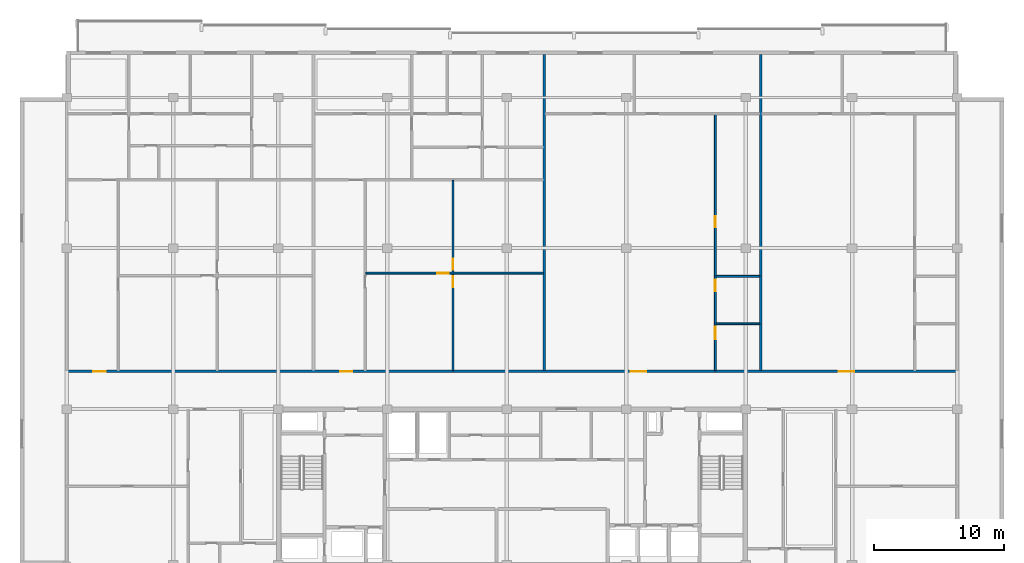
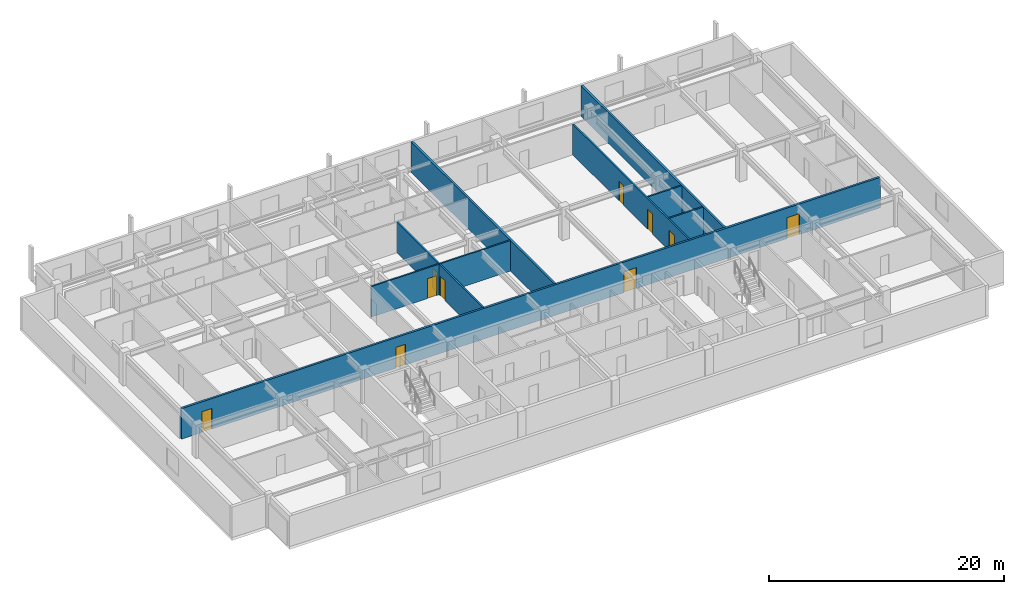
# One storey, part 6 of 11: 10 doors, 8 walls, 10 openings.
"""IFC4 building model written with IfcOpenShell, lengths in metres."""

import ifcopenshell
import ifcopenshell.guid

model = None  # the IFC model being written
_history = None  # IfcOwnerHistory: only IFC2X3 demands one
_inside = {}  # id of a spatial element -> (the spatial element, [elements in it])
_under = {}  # id of a project, library or spatial element -> (it, [spatial elements below it])
_declared = {}  # id of a project -> (the project, [libraries it declares])
_typed = {}  # id of a type object -> (the type object, [elements of that type])
_made_of = {}  # id of a material, layer set ... -> (it, [elements and type objects made of it])


def new_model(schema):
    """Start an empty IFC model of exactly this schema.

    Asked for "IFC4X3", IfcOpenShell would pick the latest addendum, in which some entities
    have other attributes; the version numbers below select the first issue.
    IFC2X3 requires an IfcOwnerHistory on every rooted entity: one is made here for all.
    """
    global model, _history
    if schema == "IFC4X3":
        model = ifcopenshell.file(schema_version=(4, 3, 0, 0))
    else:
        model = ifcopenshell.file(schema=schema)
    _inside.clear()
    _under.clear()
    _declared.clear()
    _typed.clear()
    _made_of.clear()
    _history = None
    if model.schema == "IFC2X3":
        org = make("IfcOrganization", Name="unknown")
        user = make(
            "IfcPersonAndOrganization",
            ThePerson=make("IfcPerson", FamilyName="unknown"),
            TheOrganization=org,
        )
        app = make(
            "IfcApplication",
            ApplicationDeveloper=org,
            Version="unknown",
            ApplicationFullName="unknown",
            ApplicationIdentifier="unknown",
        )
        _history = make(
            "IfcOwnerHistory",
            OwningUser=user,
            OwningApplication=app,
            ChangeAction="ADDED",
            CreationDate=0,
        )
    return model


def make(cls, **values):
    """One entity of the class cls with the attributes given. An attribute that is None is left unset."""
    return model.create_entity(
        cls, **{name: value for name, value in values.items() if value is not None}
    )


def rooted(cls, **values):
    """An entity with a GlobalId (a new one), such as an element, a storey or a relation."""
    return make(cls, GlobalId=ifcopenshell.guid.new(), OwnerHistory=_history, **values)


def si_unit(unit_type, name, prefix=None):
    """IfcSIUnit, for example si_unit("LENGTHUNIT", "METRE", prefix="MILLI")."""
    return make("IfcSIUnit", UnitType=unit_type, Prefix=prefix, Name=name)


def assignment(units):
    """IfcUnitAssignment: the units of a project."""
    return None if units is None else make("IfcUnitAssignment", Units=units)


def point(xyz):
    """IfcCartesianPoint."""
    return None if xyz is None else make("IfcCartesianPoint", Coordinates=xyz)


def direction(xyz):
    """IfcDirection."""
    return None if xyz is None else make("IfcDirection", DirectionRatios=xyz)


def frame(location, z_axis=None, x_axis=None):
    """IfcAxis2Placement3D, a coordinate frame: its origin and axes. An axis left out is left unset."""
    return make(
        "IfcAxis2Placement3D",
        Location=point(location),
        Axis=direction(z_axis),
        RefDirection=direction(x_axis),
    )


def frame_2d(location, x_axis=None):
    """IfcAxis2Placement2D, a coordinate frame in the plane: its origin and x axis."""
    return make(
        "IfcAxis2Placement2D", Location=point(location), RefDirection=direction(x_axis)
    )


def origin():
    """The frame at (0, 0, 0) with its axes left unset."""
    return frame((0.0, 0.0, 0.0))


def place(relative_to, where):
    """IfcLocalPlacement: puts the frame where relative to a parent placement (None: the world)."""
    return make(
        "IfcLocalPlacement", PlacementRelTo=relative_to, RelativePlacement=where
    )


def context(
    kind, dimensions, precision=None, world=None, true_north=None, identifier=None
):
    """IfcGeometricRepresentationContext, for example the 3D "Model" context."""
    return make(
        "IfcGeometricRepresentationContext",
        ContextIdentifier=identifier,
        ContextType=kind,
        CoordinateSpaceDimension=dimensions,
        Precision=precision,
        WorldCoordinateSystem=world,
        TrueNorth=true_north,
    )


def subcontext(parent, identifier, kind, view, scale=None):
    """IfcGeometricRepresentationSubContext, for example "Body" below "Model"."""
    return make(
        "IfcGeometricRepresentationSubContext",
        ContextIdentifier=identifier,
        ContextType=kind,
        ParentContext=parent,
        TargetScale=scale,
        TargetView=view,
    )


def project(units=None, contexts=None):
    """IfcProject with its units and contexts."""
    return rooted(
        "IfcProject",
        Name="project",
        RepresentationContexts=contexts,
        UnitsInContext=assignment(units),
    )


def spatial(cls, under=None, at=None, **own):
    """A site, building, storey or space (cls), placed at a placement, below another one or the project."""
    s = rooted(cls, ObjectPlacement=at, **own)
    if under is not None:
        _under.setdefault(under.id(), (under, []))[1].append(s)
    return s


def profile(cls, at=None, kind="AREA", **sizes):
    """A parametric profile (cls). Its sizes go by their IFC names, for example OverallWidth=200.0."""
    return make(cls, ProfileType=kind, Position=at, **sizes)


def rectangle(**sizes):
    """IfcRectangleProfileDef."""
    return profile("IfcRectangleProfileDef", **sizes)


def extrude(swept, where, along, depth):
    """IfcExtrudedAreaSolid: the profile swept, set in the frame where, extruded along a direction by depth."""
    return make(
        "IfcExtrudedAreaSolid",
        SweptArea=swept,
        Position=where,
        ExtrudedDirection=direction(along),
        Depth=depth,
    )


def shape(context_of_items, identifier, shape_type, items):
    """IfcShapeRepresentation: the items that make up one representation, for example the "Body"."""
    return make(
        "IfcShapeRepresentation",
        ContextOfItems=context_of_items,
        RepresentationIdentifier=identifier,
        RepresentationType=shape_type,
        Items=items,
    )


def material(Name=None, Category=None):
    """IfcMaterial."""
    return make("IfcMaterial", Name=Name, Category=Category)


def layer(
    of_material, thickness, ventilated=None, Name=None, Category=None, Priority=None
):
    """IfcMaterialLayer: one layer of a wall or slab, of a material (None: an air gap)."""
    return make(
        "IfcMaterialLayer",
        Material=of_material,
        LayerThickness=thickness,
        IsVentilated=ventilated,
        Name=Name,
        Category=Category,
        Priority=Priority,
    )


def layer_set(layers, Name=None):
    """IfcMaterialLayerSet."""
    return make("IfcMaterialLayerSet", MaterialLayers=layers, LayerSetName=Name)


def made_of(thing, what):
    """Note that an element or type object is made of a material, layer set ...; save() writes the relation."""
    if what is not None:
        _made_of.setdefault(what.id(), (what, []))[1].append(thing)
    return thing


def type_object(cls, material=None, **own):
    """A type object (cls), such as IfcWallType, which elements share."""
    return made_of(rooted(cls, **own), material)


def element(
    cls,
    number,
    at=None,
    inside=None,
    cuts=None,
    type_object=None,
    material=None,
    context=None,
    identifier="Body",
    shape_type=None,
    held_by="IfcProductDefinitionShape",
    body=None,
    shapes=None,
    **own,
):
    """One element of the class cls, such as IfcWall. Its Tag is "e" and its number.

    at: its placement. inside: the storey or other place that contains it. cuts: it is an
    opening in that element (IfcRelVoidsElement). A single representation is given by context,
    identifier, shape_type and body (its items); several are given by shapes. held_by: the class
    of the entity that holds the representations. save() writes the other relations.
    """
    e = rooted(cls, Tag="e%d" % number, ObjectPlacement=at, **own)
    if body is not None:
        shapes = [shape(context, identifier, shape_type, body)]
    if shapes is not None:
        e.Representation = make(held_by, Representations=shapes)
    if inside is not None:
        _inside.setdefault(inside.id(), (inside, []))[1].append(e)
    if cuts is not None:
        rooted(
            "IfcRelVoidsElement", RelatingBuildingElement=cuts, RelatedOpeningElement=e
        )
    if type_object is not None:
        _typed.setdefault(type_object.id(), (type_object, []))[1].append(e)
    return made_of(e, material)


def fill(opening, filler):
    """IfcRelFillsElement: the door or window that sits in an opening."""
    return rooted(
        "IfcRelFillsElement",
        RelatingOpeningElement=opening,
        RelatedBuildingElement=filler,
    )


def aggregate(whole, parts):
    """IfcRelAggregates: a whole, such as a stair, and the parts it consists of."""
    return rooted("IfcRelAggregates", RelatingObject=whole, RelatedObjects=parts)


def save(model, path):
    """Write the relations noted so far, then the file.

    IfcRelAggregates (storeys below a building ...), IfcRelContainedInSpatialStructure (elements
    in a storey), IfcRelDefinesByType, IfcRelAssociatesMaterial and IfcRelDeclares: one each for
    every whole, place, type object, material and project.
    """
    for whole, parts in _under.values():
        aggregate(whole, parts)
    for where, things in _inside.values():
        rooted(
            "IfcRelContainedInSpatialStructure",
            RelatedElements=things,
            RelatingStructure=where,
        )
    for kind, things in _typed.values():
        rooted("IfcRelDefinesByType", RelatedObjects=things, RelatingType=kind)
    for what, things in _made_of.values():
        rooted("IfcRelAssociatesMaterial", RelatedObjects=things, RelatingMaterial=what)
    for by, libraries in _declared.values():
        rooted("IfcRelDeclares", RelatingContext=by, RelatedDefinitions=libraries)
    model.write(path)


model = new_model("IFC4")

# Units and contexts
model_context = context("Model", 3, precision=1e-05, world=origin(), true_north=direction((0.0, 1.0)))
body_context = subcontext(model_context, "Body", "Model", "MODEL_VIEW")
ifc_project = project(units=[si_unit("LENGTHUNIT", "METRE"), si_unit("AREAUNIT", "SQUARE_METRE"), si_unit("VOLUMEUNIT", "CUBIC_METRE"), si_unit("PLANEANGLEUNIT", "RADIAN"), si_unit("MASSUNIT", "GRAM", prefix="KILO")], contexts=[model_context])

# Site, building, storey
site_placement = place(None, origin())
site = spatial("IfcSite", under=ifc_project, at=site_placement, CompositionType="ELEMENT")
building_placement = place(site_placement, origin())
building = spatial("IfcBuilding", under=site, at=building_placement, Name="Korimba Cascade Residences", CompositionType="ELEMENT")
storey_placement = place(building_placement, frame((0.0, 0.0, 256.25)))
storey = spatial("IfcBuildingStorey", under=building, at=storey_placement, Name="L74", CompositionType="ELEMENT", Elevation=256.25)

# Walls
ifc_material_1 = material(Name="Precast concrete C40/50", Category="concrete")
ifc_layer_1 = layer(ifc_material_1, 0.199951171875)
ifc_layer_set_1 = layer_set([ifc_layer_1], Name="Precast concrete C40/50")
wall_type_1 = type_object("IfcWallType", Name="WAL-IT-200", PredefinedType="PARTITIONING", material=ifc_layer_set_1)
for number, where, z_axis, x_axis, name in (
    (1, (96.588623046875, 70.179931640625, 0.0), (0.0, 0.0, 1.0), (0.0, 1.0, 0.0), "L74 Partition Wall WAL-L74-T1-DEM-2"),
    (2, (113.259033203125, 70.179931640625, 0.0), (0.0, 0.0, 1.0), (0.0, 1.0, 0.0), "L74 Partition Wall WAL-L74-T1-DEM-3"),
):
    element("IfcWall", number, at=place(storey_placement, frame(where, z_axis=z_axis, x_axis=x_axis)), inside=storey, type_object=wall_type_1, Name=name, PredefinedType="PARTITIONING", context=body_context, shape_type="SweptSolid", body=[
        extrude(rectangle(XDim=24.320068359375, YDim=0.199951171875, at=frame_2d((12.16015625, 0.0))), origin(), (0.0, 0.0, 1.0), 3.169921875),
    ])

# Wall, openings, doors
wall_1_placement = place(storey_placement, frame((59.800048828125, 70.10009765625, 0.0), z_axis=(0.0, 0.0, 1.0), x_axis=(1.0, 0.0, 0.0)))
wall_1 = element("IfcWall", 3, at=wall_1_placement, inside=storey, type_object=wall_type_1, Name="L74 Partition Wall WAL-L74-T1-CORN", PredefinedType="PARTITIONING", context=body_context, shape_type="SweptSolid", body=[
    extrude(rectangle(XDim=68.599853515625, YDim=0.199951171875, at=frame_2d((34.2998046875, 0.0))), origin(), (0.0, 0.0, 1.0), 3.169921875),
])
opening_1_placement = place(wall_1_placement, frame((2.044921875, 0.0, 0.0)))
opening_1 = element("IfcOpeningElement", 4, at=opening_1_placement, cuts=wall_1, Name="Opening D-UN1", PredefinedType="OPENING", context=body_context, shape_type="SweptSolid", body=[
    extrude(rectangle(XDim=0.949951171875, YDim=2.14990234375, at=frame_2d((0.47509765625, 1.074951171875))), frame((0.0, 0.10986328125, 0.0), z_axis=(0.0, -1.0, 0.0), x_axis=(1.0, 0.0, 0.0)), (0.0, 0.0, 1.0), 0.219970703125),
])
opening_2_placement = place(wall_1_placement, frame((21.05419921875, 0.0, 0.0)))
opening_2 = element("IfcOpeningElement", 5, at=opening_2_placement, cuts=wall_1, Name="Opening D-UN1", PredefinedType="OPENING", context=body_context, shape_type="SweptSolid", body=[
    extrude(rectangle(XDim=0.949951171875, YDim=2.14990234375, at=frame_2d((0.47509765625, 1.074951171875))), frame((0.0, 0.10986328125, 0.0), z_axis=(0.0, -1.0, 0.0), x_axis=(1.0, 0.0, 0.0)), (0.0, 0.0, 1.0), 0.219970703125),
])
opening_3_placement = place(wall_1_placement, frame((43.433837890625, 0.0, 0.0)))
opening_3 = element("IfcOpeningElement", 6, at=opening_3_placement, cuts=wall_1, Name="Opening D-AM1", PredefinedType="OPENING", context=body_context, shape_type="SweptSolid", body=[
    extrude(rectangle(XDim=1.219970703125, YDim=2.179931640625, at=frame_2d((0.60986328125, 1.08984375))), frame((0.0, 0.10986328125, 0.0), z_axis=(0.0, -1.0, 0.0), x_axis=(1.0, 0.0, 0.0)), (0.0, 0.0, 1.0), 0.219970703125),
])
opening_4_placement = place(wall_1_placement, frame((59.45458984375, 0.0, 0.0)))
opening_4 = element("IfcOpeningElement", 7, at=opening_4_placement, cuts=wall_1, Name="Opening D-AM1", PredefinedType="OPENING", context=body_context, shape_type="SweptSolid", body=[
    extrude(rectangle(XDim=1.219970703125, YDim=2.179931640625, at=frame_2d((0.60986328125, 1.08984375))), frame((0.0, 0.10986328125, 0.0), z_axis=(0.0, -1.0, 0.0), x_axis=(1.0, 0.0, 0.0)), (0.0, 0.0, 1.0), 0.219970703125),
])
ifc_material_2 = material(Name="Fire-Rated Glazed Timber Suite Door", Category="wood")
door_type_1 = type_object("IfcDoorType", Name="DR-FD60-1200", OperationType="NOTDEFINED", PredefinedType="DOOR", material=ifc_material_2)
door_1_placement = place(opening_3_placement, origin())
door_1 = element("IfcDoor", 8, at=door_1_placement, inside=storey, type_object=door_type_1, Name="L74-T1-U03 Transfer Reception Foyer Door", OperationType="SINGLE_SWING_RIGHT", OverallHeight=2.179931640625, OverallWidth=1.219970703125, PredefinedType="DOOR", context=body_context, shape_type="SweptSolid", body=[
    extrude(rectangle(XDim=1.219970703125, YDim=2.179931640625, at=frame_2d((0.60986328125, 1.08984375))), frame((0.0, 0.02490234375, 0.0), z_axis=(0.0, -1.0, 0.0), x_axis=(1.0, 0.0, 0.0)), (0.0, 0.0, 1.0), 0.050048828125),
])
fill(opening_3, door_1)
door_2_placement = place(opening_4_placement, origin())
door_2 = element("IfcDoor", 9, at=door_2_placement, inside=storey, type_object=door_type_1, Name="L74-T1-U04 Business Collaboration Office Door", OperationType="SINGLE_SWING_LEFT", OverallHeight=2.179931640625, OverallWidth=1.219970703125, PredefinedType="DOOR", context=body_context, shape_type="SweptSolid", body=[
    extrude(rectangle(XDim=1.219970703125, YDim=2.179931640625, at=frame_2d((0.60986328125, 1.08984375))), frame((0.0, 0.02490234375, 0.0), z_axis=(0.0, -1.0, 0.0), x_axis=(1.0, 0.0, 0.0)), (0.0, 0.0, 1.0), 0.050048828125),
])
fill(opening_4, door_2)
ifc_material_3 = material(Name="Fire-Rated Hardwood Apartment Entrance Door", Category="wood")
door_type_2 = type_object("IfcDoorType", Name="DR-FD60-950", OperationType="NOTDEFINED", PredefinedType="DOOR", material=ifc_material_3)
door_3_placement = place(opening_1_placement, origin())
door_3 = element("IfcDoor", 10, at=door_3_placement, inside=storey, type_object=door_type_2, Name="Unit L74-T1-U01 Entrance Door", OperationType="SINGLE_SWING_RIGHT", OverallHeight=2.14990234375, OverallWidth=0.949951171875, PredefinedType="DOOR", context=body_context, shape_type="SweptSolid", body=[
    extrude(rectangle(XDim=0.949951171875, YDim=2.14990234375, at=frame_2d((0.47509765625, 1.074951171875))), frame((0.0, 0.02490234375, 0.0), z_axis=(0.0, -1.0, 0.0), x_axis=(1.0, 0.0, 0.0)), (0.0, 0.0, 1.0), 0.050048828125),
])
fill(opening_1, door_3)
door_4_placement = place(opening_2_placement, origin())
door_4 = element("IfcDoor", 11, at=door_4_placement, inside=storey, type_object=door_type_2, Name="Unit L74-T1-U02 Entrance Door", OperationType="SINGLE_SWING_LEFT", OverallHeight=2.14990234375, OverallWidth=0.949951171875, PredefinedType="DOOR", context=body_context, shape_type="SweptSolid", body=[
    extrude(rectangle(XDim=0.949951171875, YDim=2.14990234375, at=frame_2d((0.47509765625, 1.074951171875))), frame((0.0, 0.02490234375, 0.0), z_axis=(0.0, -1.0, 0.0), x_axis=(1.0, 0.0, 0.0)), (0.0, 0.0, 1.0), 0.050048828125),
])
fill(opening_2, door_4)

ifc_material_4 = material(Name="Insulated Acoustic Stud Partition", Category="gypsum")
ifc_layer_2 = layer(ifc_material_4, 0.14990234375)
ifc_layer_set_2 = layer_set([ifc_layer_2], Name="Insulated Acoustic Stud Partition")
wall_type_2 = type_object("IfcWallType", Name="WAL-PART-150", PredefinedType="PARTITIONING", material=ifc_layer_set_2)
wall_2_placement = place(storey_placement, frame((89.5537109375, 70.159912109375, 0.0), z_axis=(0.0, 0.0, 1.0), x_axis=(0.0, 1.0, 0.0)))
wall_2 = element("IfcWall", 12, at=wall_2_placement, inside=storey, type_object=wall_type_2, Name="L74 Partition Wall WAL-L74-T1-U02-FMV", PredefinedType="PARTITIONING", context=body_context, shape_type="SweptSolid", body=[
    extrude(rectangle(XDim=14.650146484375, YDim=0.14990234375, at=frame_2d((7.3251953125, 0.0))), origin(), (0.0, 0.0, 1.0), 3.169921875),
])
opening_5_placement = place(wall_2_placement, frame((6.4150390625, 0.0, 0.0)))
opening_5 = element("IfcOpeningElement", 13, at=opening_5_placement, cuts=wall_2, Name="Opening D-BT1", PredefinedType="OPENING", context=body_context, shape_type="SweptSolid", body=[
    extrude(rectangle(XDim=0.840087890625, YDim=2.0400390625, at=frame_2d((0.419921875, 1.02001953125))), frame((0.0, 0.0849609375, 0.0), z_axis=(0.0, -1.0, 0.0), x_axis=(1.0, 0.0, 0.0)), (0.0, 0.0, 1.0), 0.169921875),
])
opening_6_placement = place(wall_2_placement, frame((7.7548828125, 0.0, 0.0)))
opening_6 = element("IfcOpeningElement", 14, at=opening_6_placement, cuts=wall_2, Name="Opening D-IN2", PredefinedType="OPENING", context=body_context, shape_type="SweptSolid", body=[
    extrude(rectangle(XDim=0.8798828125, YDim=2.06005859375, at=frame_2d((0.43994140625, 1.030029296875))), frame((0.0, 0.0849609375, 0.0), z_axis=(0.0, -1.0, 0.0), x_axis=(1.0, 0.0, 0.0)), (0.0, 0.0, 1.0), 0.169921875),
])
ifc_material_5 = material(Name="Moisture-Resistant Bathroom Timber Door", Category="wood")
door_type_3 = type_object("IfcDoorType", Name="DR-INT-850", OperationType="NOTDEFINED", PredefinedType="DOOR", material=ifc_material_5)
door_5_placement = place(opening_5_placement, origin())
door_5 = element("IfcDoor", 15, at=door_5_placement, inside=storey, type_object=door_type_3, Name="L74-T1-U02 Wardrobe Door", OperationType="SINGLE_SWING_RIGHT", OverallHeight=2.0400390625, OverallWidth=0.840087890625, PredefinedType="DOOR", context=body_context, shape_type="SweptSolid", body=[
    extrude(rectangle(XDim=0.840087890625, YDim=2.0400390625, at=frame_2d((0.419921875, 1.02001953125))), frame((0.0, 0.02490234375, 0.0), z_axis=(0.0, -1.0, 0.0), x_axis=(1.0, 0.0, 0.0)), (0.0, 0.0, 1.0), 0.050048828125),
])
fill(opening_5, door_5)
ifc_material_6 = material(Name="Acoustic Timber Bedroom Door", Category="wood")
door_type_4 = type_object("IfcDoorType", Name="DR-INT-880", OperationType="NOTDEFINED", PredefinedType="DOOR", material=ifc_material_6)
door_6_placement = place(opening_6_placement, origin())
door_6 = element("IfcDoor", 16, at=door_6_placement, inside=storey, type_object=door_type_4, Name="L74-T1-U02 Music Lounge Door", OperationType="SINGLE_SWING_LEFT", OverallHeight=2.06005859375, OverallWidth=0.8798828125, PredefinedType="DOOR", context=body_context, shape_type="SweptSolid", body=[
    extrude(rectangle(XDim=0.8798828125, YDim=2.06005859375, at=frame_2d((0.43994140625, 1.030029296875))), frame((0.0, 0.02490234375, 0.0), z_axis=(0.0, -1.0, 0.0), x_axis=(1.0, 0.0, 0.0)), (0.0, 0.0, 1.0), 0.050048828125),
])
fill(opening_6, door_6)

# Wall, opening, door
wall_3_placement = place(storey_placement, frame((82.839111328125, 77.6650390625, 0.0), z_axis=(0.0, 0.0, 1.0), x_axis=(1.0, 0.0, 0.0)))
wall_3 = element("IfcWall", 17, at=wall_3_placement, inside=storey, type_object=wall_type_2, Name="L74 Partition Wall WAL-L74-T1-U02-FMH", PredefinedType="PARTITIONING", context=body_context, shape_type="SweptSolid", body=[
    extrude(rectangle(XDim=13.66943359375, YDim=0.14990234375, at=frame_2d((6.834716796875, 0.0))), origin(), (0.0, 0.0, 1.0), 3.169921875),
])
opening_7_placement = place(wall_3_placement, frame((5.509521484375, 0.0, 0.0)))
opening_7 = element("IfcOpeningElement", 18, at=opening_7_placement, cuts=wall_3, Name="Opening D-IN2", PredefinedType="OPENING", context=body_context, shape_type="SweptSolid", body=[
    extrude(rectangle(XDim=0.8798828125, YDim=2.06005859375, at=frame_2d((0.43994140625, 1.030029296875))), frame((0.0, 0.0849609375, 0.0), z_axis=(0.0, -1.0, 0.0), x_axis=(1.0, 0.0, 0.0)), (0.0, 0.0, 1.0), 0.169921875),
])
door_7_placement = place(opening_7_placement, origin())
door_7 = element("IfcDoor", 19, at=door_7_placement, inside=storey, type_object=door_type_4, Name="L74-T1-U02 Library Salon Door", OperationType="SINGLE_SWING_RIGHT", OverallHeight=2.06005859375, OverallWidth=0.8798828125, PredefinedType="DOOR", context=body_context, shape_type="SweptSolid", body=[
    extrude(rectangle(XDim=0.8798828125, YDim=2.06005859375, at=frame_2d((0.43994140625, 1.030029296875))), frame((0.0, 0.02490234375, 0.0), z_axis=(0.0, -1.0, 0.0), x_axis=(1.0, 0.0, 0.0)), (0.0, 0.0, 1.0), 0.050048828125),
])
fill(opening_7, door_7)

# Walls
for number, where, z_axis, x_axis, name in (
    (20, (109.819091796875, 73.77001953125, 0.0), (0.0, 0.0, 1.0), (1.0, 0.0, 0.0), "L74 Partition Wall WAL-L74-T1-U03-WCH"),
    (21, (109.819091796875, 77.419921875, 0.0), (0.0, 0.0, 1.0), (1.0, 0.0, 0.0), "L74 Partition Wall WAL-L74-T1-U03-WCH2"),
):
    element("IfcWall", number, at=place(storey_placement, frame(where, z_axis=z_axis, x_axis=x_axis)), inside=storey, type_object=wall_type_2, Name=name, PredefinedType="PARTITIONING", context=body_context, shape_type="SweptSolid", body=[
        extrude(rectangle(XDim=3.360107421875, YDim=0.14990234375, at=frame_2d((1.68017578125, 0.0))), origin(), (0.0, 0.0, 1.0), 3.169921875),
    ])

# Wall, openings, doors
wall_4_placement = place(storey_placement, frame((109.759033203125, 70.159912109375, 0.0), z_axis=(0.0, 0.0, 1.0), x_axis=(0.0, 1.0, 0.0)))
wall_4 = element("IfcWall", 22, at=wall_4_placement, inside=storey, type_object=wall_type_2, Name="L74 Partition Wall WAL-L74-T1-U03-WCV", PredefinedType="PARTITIONING", context=body_context, shape_type="SweptSolid", body=[
    extrude(rectangle(XDim=19.72998046875, YDim=0.14990234375, at=frame_2d((9.864990234375, 0.0))), origin(), (0.0, 0.0, 1.0), 3.169921875),
])
opening_8_placement = place(wall_4_placement, frame((2.406005859375, 0.0, 0.0)))
opening_8 = element("IfcOpeningElement", 23, at=opening_8_placement, cuts=wall_4, Name="Opening D-AC1", PredefinedType="OPENING", context=body_context, shape_type="SweptSolid", body=[
    extrude(rectangle(XDim=0.9599609375, YDim=2.10009765625, at=frame_2d((0.47998046875, 1.050048828125))), frame((0.0, 0.0849609375, 0.0), z_axis=(0.0, -1.0, 0.0), x_axis=(1.0, 0.0, 0.0)), (0.0, 0.0, 1.0), 0.169921875),
])
opening_9_placement = place(wall_4_placement, frame((6.132568359375, 0.0, 0.0)))
opening_9 = element("IfcOpeningElement", 24, at=opening_9_placement, cuts=wall_4, Name="Opening D-IN2", PredefinedType="OPENING", context=body_context, shape_type="SweptSolid", body=[
    extrude(rectangle(XDim=0.8798828125, YDim=2.06005859375, at=frame_2d((0.43994140625, 1.030029296875))), frame((0.0, 0.0849609375, 0.0), z_axis=(0.0, -1.0, 0.0), x_axis=(1.0, 0.0, 0.0)), (0.0, 0.0, 1.0), 0.169921875),
])
opening_10_placement = place(wall_4_placement, frame((11.034423828125, 0.0, 0.0)))
opening_10 = element("IfcOpeningElement", 25, at=opening_10_placement, cuts=wall_4, Name="Opening D-BT1", PredefinedType="OPENING", context=body_context, shape_type="SweptSolid", body=[
    extrude(rectangle(XDim=0.840087890625, YDim=2.0400390625, at=frame_2d((0.419921875, 1.02001953125))), frame((0.0, 0.0849609375, 0.0), z_axis=(0.0, -1.0, 0.0), x_axis=(1.0, 0.0, 0.0)), (0.0, 0.0, 1.0), 0.169921875),
])
ifc_material_7 = material(Name="Accessible Acoustic Timber WC Door", Category="wood")
door_type_5 = type_object("IfcDoorType", Name="DR-ACC-950", OperationType="NOTDEFINED", PredefinedType="DOOR", material=ifc_material_7)
door_8_placement = place(opening_8_placement, origin())
door_8 = element("IfcDoor", 26, at=door_8_placement, inside=storey, type_object=door_type_5, Name="L74-T1-U03 Accessible WC Door", OperationType="SINGLE_SWING_RIGHT", OverallHeight=2.10009765625, OverallWidth=0.9599609375, PredefinedType="DOOR", context=body_context, shape_type="SweptSolid", body=[
    extrude(rectangle(XDim=0.9599609375, YDim=2.10009765625, at=frame_2d((0.47998046875, 1.050048828125))), frame((0.0, 0.02490234375, 0.0), z_axis=(0.0, -1.0, 0.0), x_axis=(1.0, 0.0, 0.0)), (0.0, 0.0, 1.0), 0.050048828125),
])
fill(opening_8, door_8)
door_9_placement = place(opening_10_placement, origin())
door_9 = element("IfcDoor", 27, at=door_9_placement, inside=storey, type_object=door_type_3, Name="L74-T1-U03 Suite Store Door", OperationType="SINGLE_SWING_RIGHT", OverallHeight=2.0400390625, OverallWidth=0.840087890625, PredefinedType="DOOR", context=body_context, shape_type="SweptSolid", body=[
    extrude(rectangle(XDim=0.840087890625, YDim=2.0400390625, at=frame_2d((0.419921875, 1.02001953125))), frame((0.0, 0.02490234375, 0.0), z_axis=(0.0, -1.0, 0.0), x_axis=(1.0, 0.0, 0.0)), (0.0, 0.0, 1.0), 0.050048828125),
])
fill(opening_10, door_9)
door_10_placement = place(opening_9_placement, origin())
door_10 = element("IfcDoor", 28, at=door_10_placement, inside=storey, type_object=door_type_4, Name="L74-T1-U03 Restroom WC Door", OperationType="SINGLE_SWING_LEFT", OverallHeight=2.06005859375, OverallWidth=0.8798828125, PredefinedType="DOOR", context=body_context, shape_type="SweptSolid", body=[
    extrude(rectangle(XDim=0.8798828125, YDim=2.06005859375, at=frame_2d((0.43994140625, 1.030029296875))), frame((0.0, 0.02490234375, 0.0), z_axis=(0.0, -1.0, 0.0), x_axis=(1.0, 0.0, 0.0)), (0.0, 0.0, 1.0), 0.050048828125),
])
fill(opening_9, door_10)

save(model, "model.ifc")
